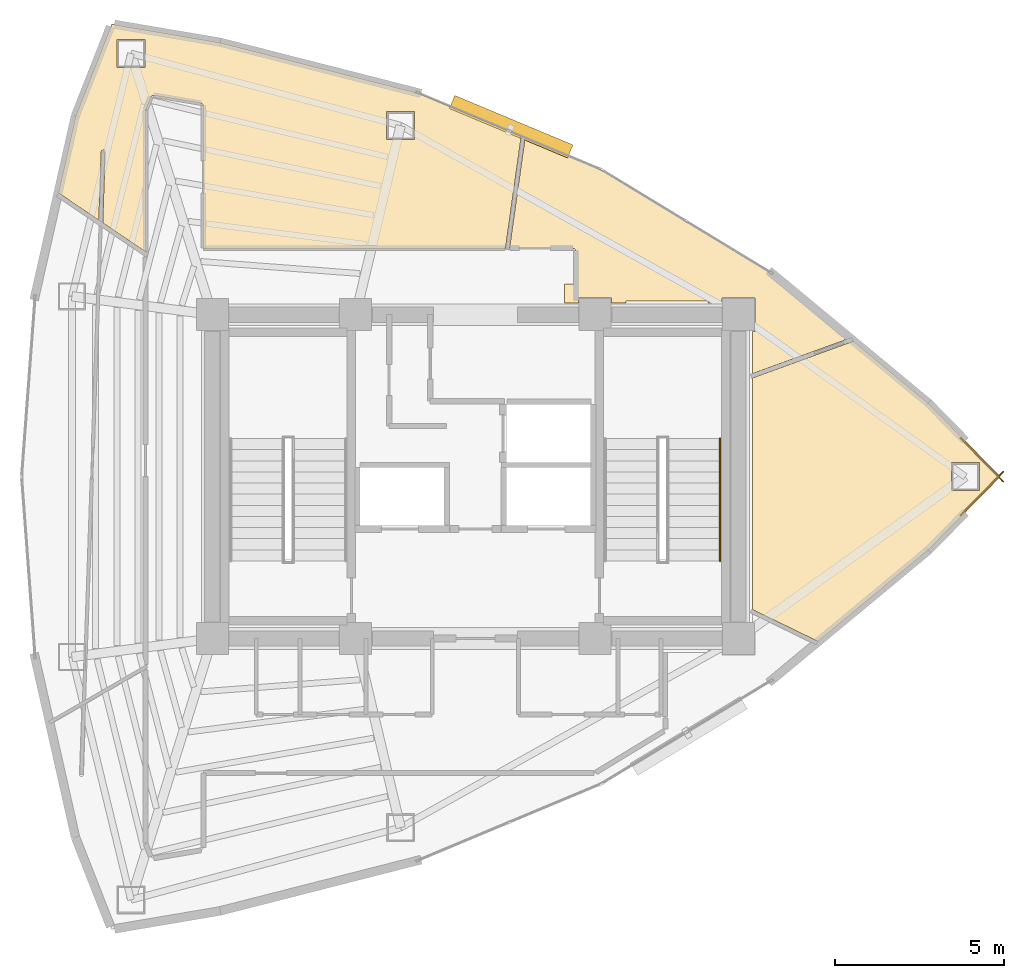
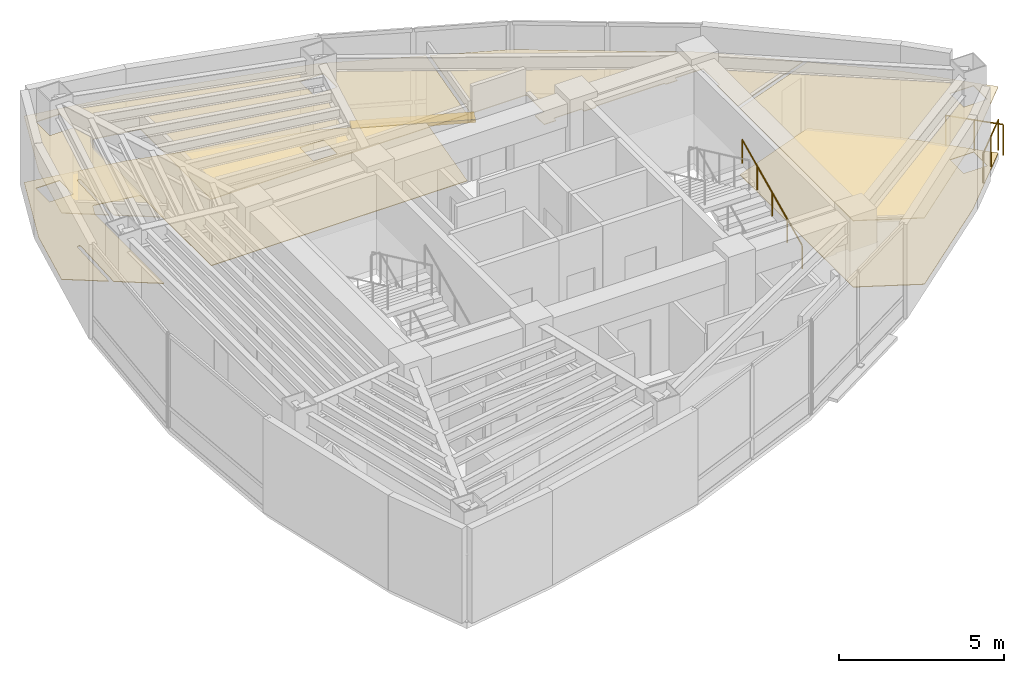
# One storey, part 15 of 16: 5 coverings, 3 railings, 1 shading device.
"""IFC4 building model written with IfcOpenShell, lengths in metres."""

from ifc_helpers import new_model, si_unit, direction, frame, origin, origin_2d, place, context, subcontext, project, spatial, polyline, rectangle, circle, outline, extrude, material, layer, layer_set, type_object, element, save


model = new_model("IFC4")

# Units and contexts
model_context = context("Model", 3, precision=1e-05, world=origin(), true_north=direction((0.0, 1.0)))
body_context = subcontext(model_context, "Body", "Model", "MODEL_VIEW")
ifc_project = project(units=[si_unit("LENGTHUNIT", "METRE"), si_unit("AREAUNIT", "SQUARE_METRE"), si_unit("VOLUMEUNIT", "CUBIC_METRE"), si_unit("PLANEANGLEUNIT", "RADIAN"), si_unit("MASSUNIT", "GRAM", prefix="KILO")], contexts=[model_context])

# Site, building, storey
site_placement = place(None, origin())
site = spatial("IfcSite", under=ifc_project, at=site_placement, CompositionType="ELEMENT")
building_placement = place(site_placement, origin())
building = spatial("IfcBuilding", under=site, at=building_placement, Name="Menara Vayukalpa", CompositionType="ELEMENT")
storey_placement = place(building_placement, frame((0.0, 0.0, 276.89990234375)))
storey = spatial("IfcBuildingStorey", under=building, at=storey_placement, Name="L70", CompositionType="ELEMENT", Elevation=276.89990234375)

# Coverings
ifc_material_1 = material(Name="Mineral Fibre Acoustic Ceiling Tile", Category="masonry")
ifc_layer_1 = layer(ifc_material_1, 0.02490234375)
ifc_layer_set_1 = layer_set([ifc_layer_1], Name="Mineral Fibre Acoustic Ceiling Tile")
covering_type_1 = type_object("IfcCoveringType", Name="COV-CLG1", PredefinedType="CEILING", material=ifc_layer_set_1)
covering_1_placement = place(storey_placement, frame((0.0, 0.0, 2.4501953125)))
element("IfcCovering", 1, at=covering_1_placement, inside=storey, type_object=covering_type_1, Name="L70 Client Conference Room Acoustic Ceiling", PredefinedType="CEILING", context=body_context, shape_type="SweptSolid", body=[
    extrude(outline(polyline([(41.15087890625, 22.007080078125), (41.151611328125, 22.00634765625), (41.15234375, 22.005615234375), (41.152587890625, 22.004638671875), (41.1533203125, 22.00390625), (41.153564453125, 22.0029296875), (41.15380859375, 22.001953125), (41.15380859375, 22.0009765625), (41.15380859375, 22.0), (41.15380859375, 21.9990234375), (41.15380859375, 21.998046875), (41.153564453125, 21.9970703125), (41.1533203125, 21.99609375), (41.152587890625, 21.995361328125), (41.15234375, 21.994384765625), (41.151611328125, 21.99365234375), (41.15087890625, 21.992919921875), (39.021240234375, 19.82373046875), (39.0205078125, 19.822998046875), (35.759033203125, 17.118408203125), (35.75830078125, 17.117919921875), (35.757568359375, 17.1171875), (35.756591796875, 17.116943359375), (35.755859375, 17.11669921875), (35.7548828125, 17.1162109375), (35.75390625, 17.1162109375), (35.7529296875, 17.1162109375), (35.751953125, 17.1162109375), (35.7509765625, 17.1162109375), (35.75, 17.116455078125), (35.749267578125, 17.11669921875), (35.748291015625, 17.1171875), (33.815673828125, 18.059814453125), (33.814697265625, 18.060302734375), (33.81396484375, 18.060791015625), (33.81298828125, 18.061279296875), (33.8125, 18.062255859375), (33.811767578125, 18.06298828125), (33.811279296875, 18.063720703125), (33.810791015625, 18.064697265625), (33.810546875, 18.065673828125), (33.810302734375, 18.066650390625), (33.81005859375, 18.067626953125), (33.81005859375, 18.068603515625), (33.81005859375, 24.917236328125), (33.81005859375, 24.918212890625), (33.810302734375, 24.919189453125), (33.810546875, 24.92041015625), (33.810791015625, 24.92138671875), (33.811279296875, 24.922119140625), (33.811767578125, 24.923095703125), (33.8125, 24.923828125), (33.81298828125, 24.924560546875), (33.81396484375, 24.92529296875), (33.814697265625, 24.92578125), (33.815673828125, 24.92626953125), (33.816650390625, 24.9267578125), (36.79345703125, 26.01025390625), (36.798828125, 26.012451171875), (36.7998046875, 26.0126953125), (36.80078125, 26.012939453125), (36.8017578125, 26.01318359375), (36.802490234375, 26.01318359375), (36.8037109375, 26.01318359375), (36.8046875, 26.012939453125), (36.805419921875, 26.0126953125), (36.806396484375, 26.012451171875), (36.807373046875, 26.011962890625), (36.80810546875, 26.011474609375), (36.80908203125, 26.010986328125), (39.0205078125, 24.177001953125), (39.021240234375, 24.17626953125), (41.15087890625, 22.007080078125)]), holes=[polyline([(40.536865234375, 22.4150390625), (39.706787109375, 22.4150390625), (39.706787109375, 21.5849609375), (40.536865234375, 21.5849609375), (40.536865234375, 22.4150390625)])]), origin(), (0.0, 0.0, 1.0), 0.02490234375),
])
covering_2_placement = place(storey_placement, frame((0.0, 0.0, 2.4501953125)))
element("IfcCovering", 2, at=covering_2_placement, inside=storey, type_object=covering_type_1, Name="L70 Client Conference Room Acoustic Ceiling", PredefinedType="CEILING", context=body_context, shape_type="SweptSolid", body=[
    extrude(outline(polyline([(28.570068359375, 28.69970703125), (28.569580078125, 28.706787109375), (28.568603515625, 28.713623046875), (28.56689453125, 28.72021484375), (28.564697265625, 28.726806640625), (28.561767578125, 28.73291015625), (28.55810546875, 28.73876953125), (28.553955078125, 28.744384765625), (28.549560546875, 28.74951171875), (28.54443359375, 28.75390625), (28.538818359375, 28.75830078125), (28.532958984375, 28.76171875), (28.52685546875, 28.7646484375), (28.520263671875, 28.76708984375), (28.513671875, 28.768798828125), (28.5068359375, 28.76953125), (28.499755859375, 28.77001953125), (26.62353515625, 28.77001953125), (26.62255859375, 28.77001953125), (26.62158203125, 28.770263671875), (26.62060546875, 28.7705078125), (26.61962890625, 28.770751953125), (26.618896484375, 28.771240234375), (26.617919921875, 28.771728515625), (26.6171875, 28.7724609375), (26.616455078125, 28.773193359375), (26.61572265625, 28.773681640625), (26.615234375, 28.774658203125), (26.61474609375, 28.775390625), (26.6142578125, 28.7763671875), (26.614013671875, 28.77734375), (26.61376953125, 28.7783203125), (26.613525390625, 28.779296875), (26.613525390625, 28.780517578125), (26.61376953125, 28.781494140625), (27.06982421875, 32.02685546875), (27.070068359375, 32.027587890625), (27.0703125, 32.02880859375), (27.070556640625, 32.029541015625), (27.071044921875, 32.030517578125), (27.071533203125, 32.03125), (27.072265625, 32.031982421875), (27.07275390625, 32.03271484375), (27.073486328125, 32.033203125), (27.07421875, 32.03369140625), (27.0751953125, 32.0341796875), (27.076171875, 32.03466796875), (27.076904296875, 32.034912109375), (27.077880859375, 32.03515625), (27.078857421875, 32.035400390625), (27.079833984375, 32.035400390625), (27.080810546875, 32.035400390625), (27.081787109375, 32.03515625), (27.082763671875, 32.034912109375), (27.08349609375, 32.03466796875), (29.32568359375, 31.0966796875), (29.326416015625, 31.09619140625), (29.3271484375, 31.095947265625), (34.37353515625, 28.030517578125), (34.374755859375, 28.02978515625), (36.684326171875, 26.1142578125), (36.68505859375, 26.113525390625), (36.685791015625, 26.11279296875), (36.686279296875, 26.112060546875), (36.68701171875, 26.111083984375), (36.687255859375, 26.1103515625), (36.6875, 26.109375), (36.687744140625, 26.1083984375), (36.68798828125, 26.107421875), (36.68798828125, 26.1064453125), (36.68798828125, 26.10546875), (36.687744140625, 26.1044921875), (36.6875, 26.103515625), (36.68701171875, 26.1025390625), (36.686767578125, 26.1015625), (36.68603515625, 26.100830078125), (36.685546875, 26.10009765625), (36.684814453125, 26.099365234375), (36.68408203125, 26.0986328125), (36.68310546875, 26.09814453125), (36.682373046875, 26.09765625), (36.681396484375, 26.09716796875), (33.823486328125, 25.056884765625), (33.822509765625, 25.056640625), (33.821533203125, 25.056396484375), (33.820556640625, 25.056396484375), (33.819580078125, 25.056396484375), (33.818603515625, 25.056396484375), (33.81787109375, 25.056640625), (33.81689453125, 25.056884765625), (33.81591796875, 25.05712890625), (33.815185546875, 25.0576171875), (33.814208984375, 25.05810546875), (33.8134765625, 25.05859375), (33.812744140625, 25.059326171875), (33.812255859375, 25.06005859375), (33.8115234375, 25.060791015625), (33.81103515625, 25.061767578125), (33.810791015625, 25.0625), (33.810302734375, 25.0634765625), (33.810302734375, 25.064453125), (33.81005859375, 25.065185546875), (33.81005859375, 25.06640625), (33.81005859375, 26.31005859375), (33.889892578125, 26.31005859375), (33.889892578125, 27.2900390625), (32.909912109375, 27.2900390625), (32.909912109375, 27.14990234375), (32.489990234375, 27.14990234375), (32.489990234375, 27.2099609375), (30.06005859375, 27.2099609375), (30.06005859375, 27.14990234375), (29.639892578125, 27.14990234375), (29.639892578125, 27.2900390625), (28.659912109375, 27.2900390625), (28.659912109375, 27.14990234375), (28.239990234375, 27.14990234375), (28.239990234375, 27.7099609375), (28.570068359375, 27.7099609375), (28.570068359375, 28.69970703125)])), origin(), (0.0, 0.0, 1.0), 0.02490234375),
])
covering_3_placement = place(storey_placement, frame((0.0, 0.0, 2.4501953125)))
element("IfcCovering", 3, at=covering_3_placement, inside=storey, type_object=covering_type_1, Name="L70 Client Conference Room Acoustic Ceiling", PredefinedType="CEILING", context=body_context, shape_type="SweptSolid", body=[
    extrude(outline(polyline([(13.751953125, 32.691162109375), (14.8173828125, 35.404541015625), (14.81787109375, 35.4052734375), (14.818359375, 35.40625), (14.81884765625, 35.406982421875), (14.819580078125, 35.40771484375), (14.8203125, 35.408447265625), (14.821044921875, 35.408935546875), (14.822021484375, 35.409423828125), (14.82275390625, 35.409912109375), (14.82373046875, 35.410400390625), (14.82470703125, 35.41064453125), (14.82568359375, 35.41064453125), (14.826416015625, 35.410888671875), (14.827392578125, 35.410888671875), (14.82861328125, 35.41064453125), (18.027587890625, 34.867431640625), (18.028564453125, 34.8671875), (23.877197265625, 33.375732421875), (23.878662109375, 33.375244140625), (26.949951171875, 32.09033203125), (26.950927734375, 32.090087890625), (26.95166015625, 32.089599609375), (26.952392578125, 32.0888671875), (26.953369140625, 32.088134765625), (26.953857421875, 32.08740234375), (26.95458984375, 32.086669921875), (26.955078125, 32.085693359375), (26.955322265625, 32.084716796875), (26.955810546875, 32.083740234375), (26.9560546875, 32.082763671875), (26.9560546875, 32.081787109375), (26.9560546875, 32.080810546875), (26.9560546875, 32.079833984375), (26.4921875, 28.778564453125), (26.491943359375, 28.777587890625), (26.49169921875, 28.77685546875), (26.4912109375, 28.77587890625), (26.490966796875, 28.77490234375), (26.490478515625, 28.774169921875), (26.48974609375, 28.7734375), (26.489013671875, 28.772705078125), (26.48828125, 28.772216796875), (26.487548828125, 28.771484375), (26.48681640625, 28.77099609375), (26.48583984375, 28.770751953125), (26.485107421875, 28.7705078125), (26.484130859375, 28.770263671875), (26.483154296875, 28.77001953125), (26.482177734375, 28.77001953125), (17.5400390625, 28.77001953125), (17.5390625, 28.77001953125), (17.5380859375, 28.770263671875), (17.537109375, 28.7705078125), (17.5361328125, 28.770751953125), (17.535400390625, 28.771240234375), (17.534423828125, 28.771728515625), (17.53369140625, 28.772216796875), (17.532958984375, 28.77294921875), (17.5322265625, 28.773681640625), (17.53173828125, 28.7744140625), (17.53125, 28.775390625), (17.53076171875, 28.776123046875), (17.530517578125, 28.777099609375), (17.5302734375, 28.778076171875), (17.530029296875, 28.779052734375), (17.530029296875, 28.780029296875), (17.530029296875, 32.995849609375), (17.529541015625, 33.003173828125), (17.528564453125, 33.010009765625), (17.52685546875, 33.016845703125), (17.5244140625, 33.0234375), (17.521484375, 33.02978515625), (17.517822265625, 33.03564453125), (17.513427734375, 33.041259765625), (17.5087890625, 33.04638671875), (17.50341796875, 33.05078125), (17.497802734375, 33.05517578125), (17.49169921875, 33.05859375), (17.485107421875, 33.061279296875), (17.478515625, 33.063720703125), (17.471435546875, 33.065185546875), (16.06201171875, 33.304443359375), (16.054931640625, 33.305419921875), (16.048095703125, 33.305419921875), (16.041259765625, 33.304931640625), (16.034423828125, 33.3037109375), (16.02783203125, 33.302001953125), (16.021484375, 33.299560546875), (16.015625, 33.29638671875), (16.009765625, 33.292724609375), (16.00439453125, 33.28857421875), (15.999267578125, 33.283935546875), (15.994873046875, 33.27880859375), (15.990966796875, 33.273193359375), (15.987548828125, 33.267333984375), (15.984619140625, 33.2607421875), (15.8349609375, 32.87939453125), (15.832763671875, 32.873291015625), (15.831298828125, 32.86669921875), (15.830322265625, 32.8603515625), (15.830078125, 32.853515625), (15.830078125, 28.68115234375), (15.830078125, 28.68017578125), (15.829833984375, 28.67919921875), (15.82958984375, 28.67822265625), (15.8291015625, 28.67724609375), (15.828857421875, 28.676513671875), (15.828369140625, 28.675537109375), (15.82763671875, 28.6748046875), (15.8271484375, 28.674072265625), (15.826416015625, 28.67333984375), (15.825439453125, 28.6728515625), (15.82470703125, 28.67236328125), (15.82373046875, 28.671875), (15.822998046875, 28.67138671875), (15.822021484375, 28.67138671875), (15.821044921875, 28.671142578125), (15.820068359375, 28.671142578125), (15.819091796875, 28.671142578125), (15.818115234375, 28.67138671875), (15.817138671875, 28.67138671875), (15.816162109375, 28.671875), (15.815185546875, 28.67236328125), (15.814453125, 28.6728515625), (14.556640625, 29.521240234375), (14.555908203125, 29.521728515625), (14.55517578125, 29.5224609375), (14.554443359375, 29.523193359375), (14.5537109375, 29.524169921875), (14.55322265625, 29.52490234375), (14.552978515625, 29.52587890625), (14.552490234375, 29.52685546875), (14.55224609375, 29.52783203125), (14.55224609375, 29.52880859375), (14.55224609375, 29.52978515625), (14.625244140625, 31.619873046875), (14.625, 31.6259765625), (14.62451171875, 31.6318359375), (14.623291015625, 31.6376953125), (14.621337890625, 31.643310546875), (14.619140625, 31.648681640625), (14.6162109375, 31.65380859375), (14.613037109375, 31.65869140625), (14.609130859375, 31.6630859375), (14.60498046875, 31.667236328125), (14.60009765625, 31.6708984375), (14.59521484375, 31.674072265625), (14.590087890625, 31.6767578125), (14.584716796875, 31.678955078125), (14.5791015625, 31.680419921875), (14.5732421875, 31.681640625), (14.5673828125, 31.68212890625), (14.561279296875, 31.681884765625), (14.5556640625, 31.681396484375), (14.5498046875, 31.68017578125), (14.544189453125, 31.67822265625), (14.538818359375, 31.676025390625), (14.53369140625, 31.673095703125), (14.52880859375, 31.669921875), (14.5244140625, 31.666015625), (14.520263671875, 31.661865234375), (14.5166015625, 31.6572265625), (14.513427734375, 31.65234375), (14.510498046875, 31.64697265625), (14.508544921875, 31.6416015625), (14.5068359375, 31.635986328125), (14.505859375, 31.630126953125), (14.50537109375, 31.6240234375), (14.435302734375, 29.62158203125), (14.435302734375, 29.62060546875), (14.43505859375, 29.619384765625), (14.434814453125, 29.61865234375), (14.434326171875, 29.61767578125), (14.43408203125, 29.61669921875), (14.43359375, 29.615966796875), (14.432861328125, 29.615234375), (14.43212890625, 29.614501953125), (14.431396484375, 29.614013671875), (14.4306640625, 29.61328125), (14.4296875, 29.61279296875), (14.428955078125, 29.612548828125), (14.427978515625, 29.6123046875), (14.427001953125, 29.612060546875), (14.426025390625, 29.61181640625), (14.42529296875, 29.61181640625), (14.42431640625, 29.61181640625), (14.42333984375, 29.612060546875), (14.42236328125, 29.6123046875), (14.42138671875, 29.612548828125), (14.42041015625, 29.613037109375), (14.419677734375, 29.613525390625), (13.244140625, 30.406494140625), (13.243408203125, 30.406982421875), (13.24267578125, 30.40771484375), (13.241943359375, 30.408447265625), (13.241455078125, 30.4091796875), (13.240966796875, 30.41015625), (13.240478515625, 30.410888671875), (13.240234375, 30.412109375), (13.239990234375, 30.412841796875), (13.23974609375, 30.413818359375), (13.23974609375, 30.414794921875), (13.239990234375, 30.416015625), (13.239990234375, 30.4169921875), (13.75146484375, 32.689697265625), (13.751708984375, 32.690185546875), (13.751953125, 32.691162109375)]), holes=[polyline([(15.80419921875, 34.959716796875), (14.97412109375, 34.959716796875), (14.97412109375, 34.129638671875), (15.80419921875, 34.129638671875), (15.80419921875, 34.959716796875)]), polyline([(23.796875, 32.81982421875), (22.966796875, 32.81982421875), (22.966796875, 31.98974609375), (23.796875, 31.98974609375), (23.796875, 32.81982421875)])]), origin(), (0.0, 0.0, 1.0), 0.02490234375),
])
ifc_material_2 = material(Name="Porcelain Stoneware Floor Tile", Category="masonry")
ifc_layer_2 = layer(ifc_material_2, 0.02001953125)
ifc_layer_set_2 = layer_set([ifc_layer_2], Name="Porcelain Stoneware Floor Tile")
covering_type_2 = type_object("IfcCoveringType", Name="COV-FLR1", PredefinedType="FLOORING", material=ifc_layer_set_2)
covering_4_placement = place(storey_placement, origin())
element("IfcCovering", 4, at=covering_4_placement, inside=storey, type_object=covering_type_2, Name="L70 Client Conference Room Porcelain Flooring", PredefinedType="FLOORING", context=body_context, shape_type="SweptSolid", body=[
    extrude(outline(polyline([(41.15087890625, 22.007080078125), (41.151611328125, 22.00634765625), (41.15234375, 22.005615234375), (41.152587890625, 22.004638671875), (41.1533203125, 22.00390625), (41.153564453125, 22.0029296875), (41.15380859375, 22.001953125), (41.15380859375, 22.0009765625), (41.15380859375, 22.0), (41.15380859375, 21.9990234375), (41.15380859375, 21.998046875), (41.153564453125, 21.9970703125), (41.1533203125, 21.99609375), (41.152587890625, 21.995361328125), (41.15234375, 21.994384765625), (41.151611328125, 21.99365234375), (41.15087890625, 21.992919921875), (39.021240234375, 19.82373046875), (39.0205078125, 19.822998046875), (35.759033203125, 17.118408203125), (35.75830078125, 17.117919921875), (35.757568359375, 17.1171875), (35.756591796875, 17.116943359375), (35.755859375, 17.11669921875), (35.7548828125, 17.1162109375), (35.75390625, 17.1162109375), (35.7529296875, 17.1162109375), (35.751953125, 17.1162109375), (35.7509765625, 17.1162109375), (35.75, 17.116455078125), (35.749267578125, 17.11669921875), (35.748291015625, 17.1171875), (33.815673828125, 18.059814453125), (33.814697265625, 18.060302734375), (33.81396484375, 18.060791015625), (33.81298828125, 18.061279296875), (33.8125, 18.062255859375), (33.811767578125, 18.06298828125), (33.811279296875, 18.063720703125), (33.810791015625, 18.064697265625), (33.810546875, 18.065673828125), (33.810302734375, 18.066650390625), (33.81005859375, 18.067626953125), (33.81005859375, 18.068603515625), (33.81005859375, 24.917236328125), (33.81005859375, 24.918212890625), (33.810302734375, 24.919189453125), (33.810546875, 24.92041015625), (33.810791015625, 24.92138671875), (33.811279296875, 24.922119140625), (33.811767578125, 24.923095703125), (33.8125, 24.923828125), (33.81298828125, 24.924560546875), (33.81396484375, 24.92529296875), (33.814697265625, 24.92578125), (33.815673828125, 24.92626953125), (33.816650390625, 24.9267578125), (36.79345703125, 26.01025390625), (36.798828125, 26.012451171875), (36.7998046875, 26.0126953125), (36.80078125, 26.012939453125), (36.8017578125, 26.01318359375), (36.802490234375, 26.01318359375), (36.8037109375, 26.01318359375), (36.8046875, 26.012939453125), (36.805419921875, 26.0126953125), (36.806396484375, 26.012451171875), (36.807373046875, 26.011962890625), (36.80810546875, 26.011474609375), (36.80908203125, 26.010986328125), (39.0205078125, 24.177001953125), (39.021240234375, 24.17626953125), (41.15087890625, 22.007080078125)]), holes=[polyline([(40.536865234375, 22.4150390625), (39.706787109375, 22.4150390625), (39.706787109375, 21.5849609375), (40.536865234375, 21.5849609375), (40.536865234375, 22.4150390625)])]), origin(), (0.0, 0.0, 1.0), 0.02001953125),
])
covering_5_placement = place(storey_placement, origin())
element("IfcCovering", 5, at=covering_5_placement, inside=storey, type_object=covering_type_2, Name="L70 Client Conference Room Porcelain Flooring", PredefinedType="FLOORING", context=body_context, shape_type="SweptSolid", body=[
    extrude(outline(polyline([(13.751953125, 32.691162109375), (14.8173828125, 35.404541015625), (14.81787109375, 35.4052734375), (14.818359375, 35.40625), (14.81884765625, 35.406982421875), (14.819580078125, 35.40771484375), (14.8203125, 35.408447265625), (14.821044921875, 35.408935546875), (14.822021484375, 35.409423828125), (14.82275390625, 35.409912109375), (14.82373046875, 35.410400390625), (14.82470703125, 35.41064453125), (14.82568359375, 35.41064453125), (14.826416015625, 35.410888671875), (14.827392578125, 35.410888671875), (14.82861328125, 35.41064453125), (18.027587890625, 34.867431640625), (18.028564453125, 34.8671875), (23.877197265625, 33.375732421875), (23.878662109375, 33.375244140625), (26.949951171875, 32.09033203125), (26.950927734375, 32.090087890625), (26.95166015625, 32.089599609375), (26.952392578125, 32.0888671875), (26.953369140625, 32.088134765625), (26.953857421875, 32.08740234375), (26.95458984375, 32.086669921875), (26.955078125, 32.085693359375), (26.955322265625, 32.084716796875), (26.955810546875, 32.083740234375), (26.9560546875, 32.082763671875), (26.9560546875, 32.081787109375), (26.9560546875, 32.080810546875), (26.9560546875, 32.079833984375), (26.4921875, 28.778564453125), (26.491943359375, 28.777587890625), (26.49169921875, 28.77685546875), (26.4912109375, 28.77587890625), (26.490966796875, 28.77490234375), (26.490478515625, 28.774169921875), (26.48974609375, 28.7734375), (26.489013671875, 28.772705078125), (26.48828125, 28.772216796875), (26.487548828125, 28.771484375), (26.48681640625, 28.77099609375), (26.48583984375, 28.770751953125), (26.485107421875, 28.7705078125), (26.484130859375, 28.770263671875), (26.483154296875, 28.77001953125), (26.482177734375, 28.77001953125), (17.5400390625, 28.77001953125), (17.5390625, 28.77001953125), (17.5380859375, 28.770263671875), (17.537109375, 28.7705078125), (17.5361328125, 28.770751953125), (17.535400390625, 28.771240234375), (17.534423828125, 28.771728515625), (17.53369140625, 28.772216796875), (17.532958984375, 28.77294921875), (17.5322265625, 28.773681640625), (17.53173828125, 28.7744140625), (17.53125, 28.775390625), (17.53076171875, 28.776123046875), (17.530517578125, 28.777099609375), (17.5302734375, 28.778076171875), (17.530029296875, 28.779052734375), (17.530029296875, 28.780029296875), (17.530029296875, 32.995849609375), (17.529541015625, 33.003173828125), (17.528564453125, 33.010009765625), (17.52685546875, 33.016845703125), (17.5244140625, 33.0234375), (17.521484375, 33.02978515625), (17.517822265625, 33.03564453125), (17.513427734375, 33.041259765625), (17.5087890625, 33.04638671875), (17.50341796875, 33.05078125), (17.497802734375, 33.05517578125), (17.49169921875, 33.05859375), (17.485107421875, 33.061279296875), (17.478515625, 33.063720703125), (17.471435546875, 33.065185546875), (16.06201171875, 33.304443359375), (16.054931640625, 33.305419921875), (16.048095703125, 33.305419921875), (16.041259765625, 33.304931640625), (16.034423828125, 33.3037109375), (16.02783203125, 33.302001953125), (16.021484375, 33.299560546875), (16.015625, 33.29638671875), (16.009765625, 33.292724609375), (16.00439453125, 33.28857421875), (15.999267578125, 33.283935546875), (15.994873046875, 33.27880859375), (15.990966796875, 33.273193359375), (15.987548828125, 33.267333984375), (15.984619140625, 33.2607421875), (15.8349609375, 32.87939453125), (15.832763671875, 32.873291015625), (15.831298828125, 32.86669921875), (15.830322265625, 32.8603515625), (15.830078125, 32.853515625), (15.830078125, 28.68115234375), (15.830078125, 28.68017578125), (15.829833984375, 28.67919921875), (15.82958984375, 28.67822265625), (15.8291015625, 28.67724609375), (15.828857421875, 28.676513671875), (15.828369140625, 28.675537109375), (15.82763671875, 28.6748046875), (15.8271484375, 28.674072265625), (15.826416015625, 28.67333984375), (15.825439453125, 28.6728515625), (15.82470703125, 28.67236328125), (15.82373046875, 28.671875), (15.822998046875, 28.67138671875), (15.822021484375, 28.67138671875), (15.821044921875, 28.671142578125), (15.820068359375, 28.671142578125), (15.819091796875, 28.671142578125), (15.818115234375, 28.67138671875), (15.817138671875, 28.67138671875), (15.816162109375, 28.671875), (15.815185546875, 28.67236328125), (15.814453125, 28.6728515625), (14.556640625, 29.521240234375), (14.555908203125, 29.521728515625), (14.55517578125, 29.5224609375), (14.554443359375, 29.523193359375), (14.5537109375, 29.524169921875), (14.55322265625, 29.52490234375), (14.552978515625, 29.52587890625), (14.552490234375, 29.52685546875), (14.55224609375, 29.52783203125), (14.55224609375, 29.52880859375), (14.55224609375, 29.52978515625), (14.625244140625, 31.619873046875), (14.625, 31.6259765625), (14.62451171875, 31.6318359375), (14.623291015625, 31.6376953125), (14.621337890625, 31.643310546875), (14.619140625, 31.648681640625), (14.6162109375, 31.65380859375), (14.613037109375, 31.65869140625), (14.609130859375, 31.6630859375), (14.60498046875, 31.667236328125), (14.60009765625, 31.6708984375), (14.59521484375, 31.674072265625), (14.590087890625, 31.6767578125), (14.584716796875, 31.678955078125), (14.5791015625, 31.680419921875), (14.5732421875, 31.681640625), (14.5673828125, 31.68212890625), (14.561279296875, 31.681884765625), (14.5556640625, 31.681396484375), (14.5498046875, 31.68017578125), (14.544189453125, 31.67822265625), (14.538818359375, 31.676025390625), (14.53369140625, 31.673095703125), (14.52880859375, 31.669921875), (14.5244140625, 31.666015625), (14.520263671875, 31.661865234375), (14.5166015625, 31.6572265625), (14.513427734375, 31.65234375), (14.510498046875, 31.64697265625), (14.508544921875, 31.6416015625), (14.5068359375, 31.635986328125), (14.505859375, 31.630126953125), (14.50537109375, 31.6240234375), (14.435302734375, 29.62158203125), (14.435302734375, 29.62060546875), (14.43505859375, 29.619384765625), (14.434814453125, 29.61865234375), (14.434326171875, 29.61767578125), (14.43408203125, 29.61669921875), (14.43359375, 29.615966796875), (14.432861328125, 29.615234375), (14.43212890625, 29.614501953125), (14.431396484375, 29.614013671875), (14.4306640625, 29.61328125), (14.4296875, 29.61279296875), (14.428955078125, 29.612548828125), (14.427978515625, 29.6123046875), (14.427001953125, 29.612060546875), (14.426025390625, 29.61181640625), (14.42529296875, 29.61181640625), (14.42431640625, 29.61181640625), (14.42333984375, 29.612060546875), (14.42236328125, 29.6123046875), (14.42138671875, 29.612548828125), (14.42041015625, 29.613037109375), (14.419677734375, 29.613525390625), (13.244140625, 30.406494140625), (13.243408203125, 30.406982421875), (13.24267578125, 30.40771484375), (13.241943359375, 30.408447265625), (13.241455078125, 30.4091796875), (13.240966796875, 30.41015625), (13.240478515625, 30.410888671875), (13.240234375, 30.412109375), (13.239990234375, 30.412841796875), (13.23974609375, 30.413818359375), (13.23974609375, 30.414794921875), (13.239990234375, 30.416015625), (13.239990234375, 30.4169921875), (13.75146484375, 32.689697265625), (13.751708984375, 32.690185546875), (13.751953125, 32.691162109375)]), holes=[polyline([(15.80419921875, 34.959716796875), (14.97412109375, 34.959716796875), (14.97412109375, 34.129638671875), (15.80419921875, 34.129638671875), (15.80419921875, 34.959716796875)]), polyline([(23.796875, 32.81982421875), (22.966796875, 32.81982421875), (22.966796875, 31.98974609375), (23.796875, 31.98974609375), (23.796875, 32.81982421875)])]), origin(), (0.0, 0.0, 1.0), 0.02001953125),
])

# Railings
ifc_material_3 = material(Name="Laminated Glass and Stainless Steel 316 Guardrail", Category="steel")
railing_type_1 = type_object("IfcRailingType", Name="RLG-EXT115", PredefinedType="GUARDRAIL", material=ifc_material_3)
railing_1_placement = place(storey_placement, frame((39.976318359375, 20.853515625, 0.0)))
element("IfcRailing", 6, at=railing_1_placement, inside=storey, type_object=railing_type_1, Name="L70 Column Corner Spandrel Guardrail 01-1", PredefinedType="GUARDRAIL", context=body_context, shape_type="SweptSolid", body=[
    extrude(circle(Radius=0.02392578125, at=origin_2d()), frame((0.0, 0.0, 1.1259765625), z_axis=(0.700555224103, 0.713598190848, 0.0), x_axis=(-0.713598190848, 0.700555224103, 0.0)), (0.0, 0.0, 1.0), 1.815673828125),
    extrude(circle(Radius=0.02099609375, at=origin_2d()), origin(), (0.0, 0.0, 1.0), 1.101806640625),
    extrude(circle(Radius=0.02099609375, at=origin_2d()), frame((0.635986328125, 0.64794921875, 0.0)), (0.0, 0.0, 1.0), 1.101806640625),
    extrude(circle(Radius=0.02099609375, at=origin_2d()), frame((1.27197265625, 1.295654296875, 0.0)), (0.0, 0.0, 1.0), 1.101806640625),
])
railing_2_placement = place(storey_placement, frame((41.248291015625, 21.850830078125, 0.0)))
element("IfcRailing", 7, at=railing_2_placement, inside=storey, type_object=railing_type_1, Name="L70 Column Corner Spandrel Guardrail 02-1", PredefinedType="GUARDRAIL", context=body_context, shape_type="SweptSolid", body=[
    extrude(circle(Radius=0.02392578125, at=origin_2d()), frame((0.0, 0.0, 1.1259765625), z_axis=(-0.700555224103, 0.713598190848, 0.0), x_axis=(-0.713598190848, -0.700555224103, 0.0)), (0.0, 0.0, 1.0), 1.815673828125),
    extrude(circle(Radius=0.02099609375, at=origin_2d()), origin(), (0.0, 0.0, 1.0), 1.101806640625),
    extrude(circle(Radius=0.02099609375, at=origin_2d()), frame((-0.635986328125, 0.64794921875, 0.0)), (0.0, 0.0, 1.0), 1.101806640625),
    extrude(circle(Radius=0.02099609375, at=origin_2d()), frame((-1.27197265625, 1.295654296875, 0.0)), (0.0, 0.0, 1.0), 1.101806640625),
])
ifc_material_4 = material(Name="Stainless Steel 316 Tubular Handrail", Category="steel")
railing_type_2 = type_object("IfcRailingType", Name="RLG-STH090", PredefinedType="HANDRAIL", material=ifc_material_4)
railing_3_placement = place(storey_placement, frame((32.85009765625, 19.5, 0.155029296875)))
element("IfcRailing", 8, at=railing_3_placement, inside=storey, type_object=railing_type_2, Name="L70 ST-2 stair handrail 1", PredefinedType="HANDRAIL", context=body_context, shape_type="SweptSolid", body=[
    extrude(circle(Radius=0.02392578125, at=origin_2d()), frame((0.0, 0.0, 0.8759765625), z_axis=(0.0, 0.90511648382, 0.425163675209), x_axis=(-1.0, 0.0, 0.0)), (0.0, 0.0, 1.0), 4.010498046875),
    extrude(circle(Radius=0.02099609375, at=origin_2d()), origin(), (0.0, 0.0, 1.0), 0.851806640625),
    extrude(circle(Radius=0.02099609375, at=origin_2d()), frame((0.0, 0.907470703125, 0.42626953125)), (0.0, 0.0, 1.0), 0.851806640625),
    extrude(circle(Radius=0.02099609375, at=origin_2d()), frame((0.0, 1.81494140625, 0.8525390625)), (0.0, 0.0, 1.0), 0.851806640625),
    extrude(circle(Radius=0.02099609375, at=origin_2d()), frame((0.0, 2.722412109375, 1.27880859375)), (0.0, 0.0, 1.0), 0.851806640625),
    extrude(circle(Radius=0.02099609375, at=origin_2d()), frame((0.0, 3.6298828125, 1.705078125)), (0.0, 0.0, 1.0), 0.851806640625),
])

# Shading device
ifc_material_5 = material(Name="Glazed Terracotta Ceramic Baguette Extrusion", Category="masonry")
ifc_layer_3 = layer(ifc_material_5, 0.1201171875)
ifc_layer_set_3 = layer_set([ifc_layer_3], Name="Glazed Terracotta Ceramic Baguette Extrusion")
shading_device_type = type_object("IfcShadingDeviceType", Name="SHD-SS1", PredefinedType="USERDEFINED", material=ifc_layer_set_3)
shading_device_placement = place(storey_placement, frame((26.66015625, 32.374267578125, -0.099853515625), z_axis=(0.0, 0.0, 1.0), x_axis=(-0.922538089456, 0.385906042324, 0.0)))
element("IfcShadingDevice", 9, at=shading_device_placement, inside=storey, type_object=shading_device_type, Name="L70 Horizontal Terracotta Sunshade Band 05", ObjectType="SUNSHADE", PredefinedType="USERDEFINED", context=body_context, shape_type="SweptSolid", body=[
    extrude(rectangle(XDim=3.800048828125, YDim=0.419921875, at=origin_2d()), origin(), (0.0, 0.0, 1.0), 0.1201171875),
])

save(model, "model.ifc")
